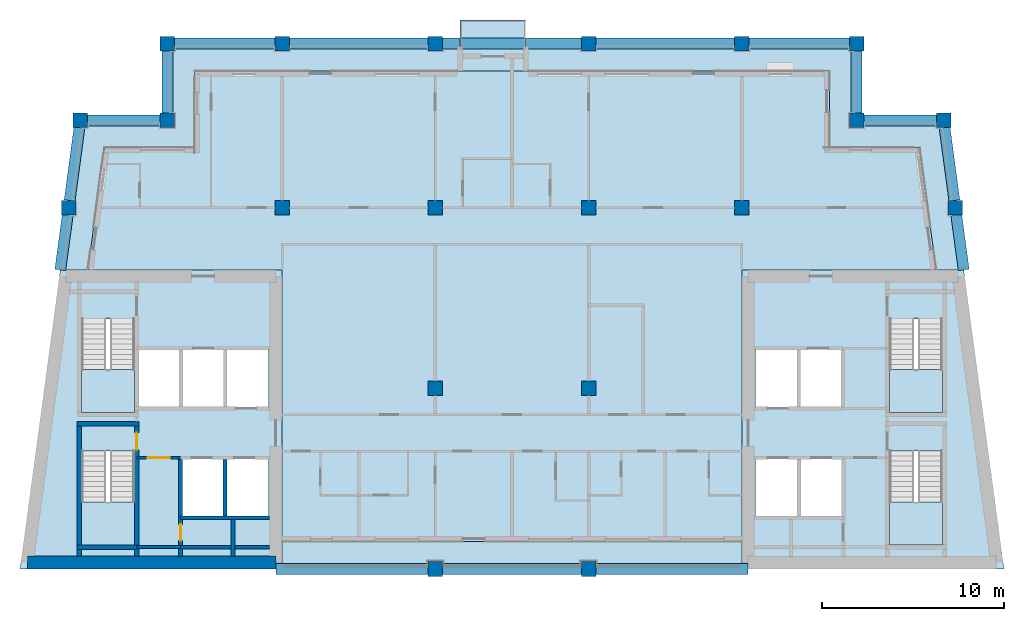
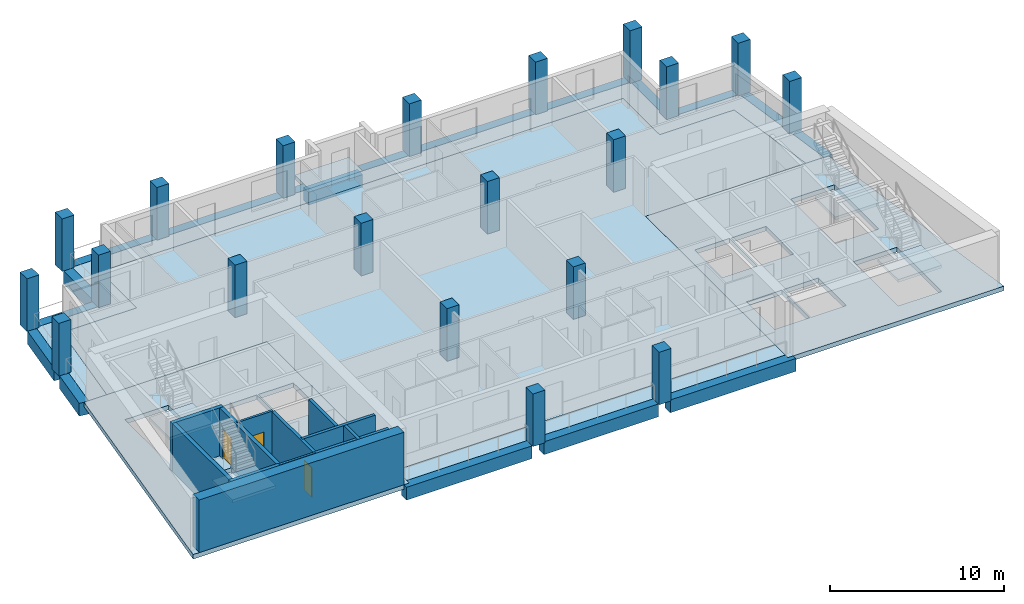
# One storey, part 1 of 10: 20 columns, 18 beams, 12 walls, 10 slabs, 3 doors, 3 openings, 4 elements without a shape of their own.
"""IFC4 building model written with IfcOpenShell, lengths in metres."""

from ifc_helpers import new_model, si_unit, direction, frame, frame_2d, origin, origin_2d, place, context, subcontext, project, spatial, polyline, rectangle, outline, extrude, material, layer, layer_set, material_profile, profile_set, type_object, element, fill, aggregate, save


model = new_model("IFC4")

# Units and contexts
model_context = context("Model", 3, precision=1e-05, world=origin(), true_north=direction((0.0, 1.0)))
body_context = subcontext(model_context, "Body", "Model", "MODEL_VIEW")
ifc_project = project(units=[si_unit("LENGTHUNIT", "METRE"), si_unit("AREAUNIT", "SQUARE_METRE"), si_unit("VOLUMEUNIT", "CUBIC_METRE"), si_unit("PLANEANGLEUNIT", "RADIAN"), si_unit("MASSUNIT", "GRAM", prefix="KILO")], contexts=[model_context])

# Site, building, storey
site_placement = place(None, origin())
site = spatial("IfcSite", under=ifc_project, at=site_placement, CompositionType="ELEMENT")
building_placement = place(site_placement, origin())
building = spatial("IfcBuilding", under=site, at=building_placement, Name="Candeia Pilgrim Tower and Theatre", CompositionType="ELEMENT")
storey_placement = place(building_placement, frame((0.0, 0.0, 288.60009765625)))
storey = spatial("IfcBuildingStorey", under=building, at=storey_placement, Name="L70", CompositionType="ELEMENT", Elevation=288.60009765625)

# Columns
ifc_material_1 = material(Name="Concrete C40/50", Category="concrete")
ifc_material_profile_1 = material_profile(ifc_material_1, rectangle(XDim=0.800048828125, YDim=0.800048828125, at=origin_2d()))
ifc_profile_set_1 = profile_set([ifc_material_profile_1], Name="Concrete C40/50")
column_type = type_object("IfcColumnType", Name="RC 800x800 C40/50", PredefinedType="COLUMN", material=ifc_profile_set_1)
for number, where, z_axis, x_axis, name in (
    (1, (94.5, 140.60009765625, 0.0), (0.0, 0.0, 1.0), (1.0, 0.0, 0.0), "Column NNW"),
    (2, (132.300048828125, 140.60009765625, 0.0), (0.0, 0.0, 1.0), (1.0, 0.0, 0.0), "Column NNE"),
    (3, (89.734619140625, 140.60009765625, 0.0), (0.0, 0.0, 1.0), (1.0, 0.0, 0.0), "Column LNW"),
    (4, (137.0654296875, 140.60009765625, 0.0), (0.0, 0.0, 1.0), (1.0, 0.0, 0.0), "Column LNE"),
    (5, (109.199951171875, 116.0, 0.0), (0.0, 0.0, 1.0), (1.0, 0.0, 0.0), "Column C3"),
    (6, (117.60009765625, 116.0, 0.0), (0.0, 0.0, 1.0), (1.0, 0.0, 0.0), "Column C4"),
    (7, (109.199951171875, 125.89990234375, 0.0), (0.0, 0.0, 1.0), (1.0, 0.0, 0.0), "Column D3"),
    (8, (117.60009765625, 125.89990234375, 0.0), (0.0, 0.0, 1.0), (1.0, 0.0, 0.0), "Column D4"),
    (9, (100.800048828125, 135.800048828125, 0.0), (0.0, 0.0, 1.0), (1.0, 0.0, 0.0), "Column E2"),
    (10, (109.199951171875, 135.800048828125, 0.0), (0.0, 0.0, 1.0), (1.0, 0.0, 0.0), "Column E3"),
    (11, (117.60009765625, 135.800048828125, 0.0), (0.0, 0.0, 1.0), (1.0, 0.0, 0.0), "Column E4"),
    (12, (126.0, 135.800048828125, 0.0), (0.0, 0.0, 1.0), (1.0, 0.0, 0.0), "Column E5"),
    (13, (89.08837890625, 135.800048828125, 0.0), (0.0, 0.0, 1.0), (1.0, 0.0, 0.0), "Column EW"),
    (14, (137.71142578125, 135.800048828125, 0.0), (0.0, 0.0, 1.0), (1.0, 0.0, 0.0), "Column EE"),
    (15, (100.800048828125, 144.800048828125, 0.0), (0.0, 0.0, 1.0), (1.0, 0.0, 0.0), "Column F2"),
    (16, (109.199951171875, 144.800048828125, 0.0), (0.0, 0.0, 1.0), (1.0, 0.0, 0.0), "Column F3"),
    (17, (117.60009765625, 144.800048828125, 0.0), (0.0, 0.0, 1.0), (1.0, 0.0, 0.0), "Column F4"),
    (18, (126.0, 144.800048828125, 0.0), (0.0, 0.0, 1.0), (1.0, 0.0, 0.0), "Column F5"),
    (19, (94.5, 144.800048828125, 0.0), (0.0, 0.0, 1.0), (1.0, 0.0, 0.0), "Column FW"),
    (20, (132.300048828125, 144.800048828125, 0.0), (0.0, 0.0, 1.0), (1.0, 0.0, 0.0), "Column FE"),
):
    element("IfcColumn", number, at=place(storey_placement, frame(where, z_axis=z_axis, x_axis=x_axis)), inside=storey, type_object=column_type, Name=name, PredefinedType="COLUMN", context=body_context, shape_type="SweptSolid", body=[
        extrude(rectangle(XDim=0.800048828125, YDim=0.800048828125, at=origin_2d()), origin(), (0.0, 0.0, 1.0), 3.699951171875),
    ])

# Beams
ifc_material_profile_2 = material_profile(ifc_material_1, rectangle(XDim=0.60009765625, YDim=0.89990234375, at=origin_2d()))
ifc_profile_set_2 = profile_set([ifc_material_profile_2], Name="Concrete C40/50")
beam_type = type_object("IfcBeamType", Name="RC 600x900 C40/50", PredefinedType="BEAM", material=ifc_profile_set_2)
beam_1_placement = place(storey_placement, frame((90.134521484375, 140.60009765625, -0.4501953125), z_axis=(1.0, 0.0, 0.0), x_axis=(0.0, 1.0, 0.0)))
element("IfcBeam", 21, at=beam_1_placement, inside=storey, type_object=beam_type, Name="Spandrel beam L70-01", PredefinedType="BEAM", context=body_context, shape_type="SweptSolid", body=[
    extrude(rectangle(XDim=0.60009765625, YDim=0.89990234375, at=origin_2d()), origin(), (0.0, 0.0, 1.0), 3.965576171875),
])
beam_2_placement = place(storey_placement, frame((94.5, 141.0, -0.4501953125), z_axis=(0.0, 1.0, 0.0), x_axis=(-1.0, 0.0, 0.0)))
element("IfcBeam", 22, at=beam_2_placement, inside=storey, type_object=beam_type, Name="Spandrel beam L70-02", PredefinedType="BEAM", context=body_context, shape_type="SweptSolid", body=[
    extrude(rectangle(XDim=0.60009765625, YDim=0.89990234375, at=origin_2d()), origin(), (0.0, 0.0, 1.0), 3.39990234375),
])
beam_3_placement = place(storey_placement, frame((94.89990234375, 144.800048828125, -0.4501953125), z_axis=(1.0, 0.0, 0.0), x_axis=(0.0, 1.0, 0.0)))
element("IfcBeam", 23, at=beam_3_placement, inside=storey, type_object=beam_type, Name="Spandrel beam L70-03", PredefinedType="BEAM", context=body_context, shape_type="SweptSolid", body=[
    extrude(rectangle(XDim=0.60009765625, YDim=0.89990234375, at=origin_2d()), origin(), (0.0, 0.0, 1.0), 5.5),
])
beam_4_placement = place(storey_placement, frame((101.199951171875, 144.800048828125, -0.4501953125), z_axis=(1.0, 0.0, 0.0), x_axis=(0.0, 1.0, 0.0)))
element("IfcBeam", 24, at=beam_4_placement, inside=storey, type_object=beam_type, Name="Spandrel beam L70-04", PredefinedType="BEAM", context=body_context, shape_type="SweptSolid", body=[
    extrude(rectangle(XDim=0.60009765625, YDim=0.89990234375, at=origin_2d()), origin(), (0.0, 0.0, 1.0), 7.60009765625),
])
beam_5_placement = place(storey_placement, frame((109.60009765625, 144.800048828125, -0.4501953125), z_axis=(1.0, 0.0, 0.0), x_axis=(0.0, 1.0, 0.0)))
element("IfcBeam", 25, at=beam_5_placement, inside=storey, type_object=beam_type, Name="Spandrel beam L70-05", PredefinedType="BEAM", context=body_context, shape_type="SweptSolid", body=[
    extrude(rectangle(XDim=0.60009765625, YDim=0.89990234375, at=origin_2d()), origin(), (0.0, 0.0, 1.0), 0.949951171875),
])
beam_6_placement = place(storey_placement, frame((110.550048828125, 144.800048828125, -0.7001953125), z_axis=(1.0, 0.0, 0.0), x_axis=(0.0, 1.0, 0.0)))
element("IfcBeam", 26, at=beam_6_placement, inside=storey, type_object=beam_type, Name="Spandrel beam L70-06", PredefinedType="BEAM", context=body_context, shape_type="SweptSolid", body=[
    extrude(rectangle(XDim=0.60009765625, YDim=0.89990234375, at=origin_2d()), origin(), (0.0, 0.0, 1.0), 3.599853515625),
])
beam_7_placement = place(storey_placement, frame((114.14990234375, 144.800048828125, -0.4501953125), z_axis=(1.0, 0.0, 0.0), x_axis=(0.0, 1.0, 0.0)))
element("IfcBeam", 27, at=beam_7_placement, inside=storey, type_object=beam_type, Name="Spandrel beam L70-07", PredefinedType="BEAM", context=body_context, shape_type="SweptSolid", body=[
    extrude(rectangle(XDim=0.60009765625, YDim=0.89990234375, at=origin_2d()), origin(), (0.0, 0.0, 1.0), 3.050048828125),
])
beam_8_placement = place(storey_placement, frame((118.0, 144.800048828125, -0.4501953125), z_axis=(1.0, 0.0, 0.0), x_axis=(0.0, 1.0, 0.0)))
element("IfcBeam", 28, at=beam_8_placement, inside=storey, type_object=beam_type, Name="Spandrel beam L70-08", PredefinedType="BEAM", context=body_context, shape_type="SweptSolid", body=[
    extrude(rectangle(XDim=0.60009765625, YDim=0.89990234375, at=origin_2d()), origin(), (0.0, 0.0, 1.0), 7.60009765625),
])
beam_9_placement = place(storey_placement, frame((126.39990234375, 144.800048828125, -0.4501953125), z_axis=(1.0, 0.0, 0.0), x_axis=(0.0, 1.0, 0.0)))
element("IfcBeam", 29, at=beam_9_placement, inside=storey, type_object=beam_type, Name="Spandrel beam L70-09", PredefinedType="BEAM", context=body_context, shape_type="SweptSolid", body=[
    extrude(rectangle(XDim=0.60009765625, YDim=0.89990234375, at=origin_2d()), origin(), (0.0, 0.0, 1.0), 5.5),
])
beam_10_placement = place(storey_placement, frame((132.300048828125, 144.39990234375, -0.4501953125), z_axis=(0.0, -1.0, 0.0), x_axis=(1.0, 0.0, 0.0)))
element("IfcBeam", 30, at=beam_10_placement, inside=storey, type_object=beam_type, Name="Spandrel beam L70-10", PredefinedType="BEAM", context=body_context, shape_type="SweptSolid", body=[
    extrude(rectangle(XDim=0.60009765625, YDim=0.89990234375, at=origin_2d()), origin(), (0.0, 0.0, 1.0), 3.39990234375),
])
beam_11_placement = place(storey_placement, frame((132.699951171875, 140.60009765625, -0.4501953125), z_axis=(1.0, 0.0, 0.0), x_axis=(0.0, 1.0, 0.0)))
element("IfcBeam", 31, at=beam_11_placement, inside=storey, type_object=beam_type, Name="Spandrel beam L70-11", PredefinedType="BEAM", context=body_context, shape_type="SweptSolid", body=[
    extrude(rectangle(XDim=0.60009765625, YDim=0.89990234375, at=origin_2d()), origin(), (0.0, 0.0, 1.0), 3.96533203125),
])
beam_12_placement = place(storey_placement, frame((137.119140625, 140.199951171875, -0.4501953125), z_axis=(0.133439433328, -0.991056969923, 0.0), x_axis=(0.991056969923, 0.133439433328, 0.0)))
element("IfcBeam", 32, at=beam_12_placement, inside=storey, type_object=beam_type, Name="Spandrel beam L70-12", PredefinedType="BEAM", context=body_context, shape_type="SweptSolid", body=[
    extrude(rectangle(XDim=0.60009765625, YDim=0.89990234375, at=origin_2d()), origin(), (0.0, 0.0, 1.0), 4.0361328125),
])
beam_13_placement = place(storey_placement, frame((137.765380859375, 135.39990234375, -0.4501953125), z_axis=(0.133399824849, -0.991062302144, 0.0), x_axis=(0.991062302144, 0.133399824849, 0.0)))
element("IfcBeam", 33, at=beam_13_placement, inside=storey, type_object=beam_type, Name="Spandrel beam L70-13", PredefinedType="BEAM", context=body_context, shape_type="SweptSolid", body=[
    extrude(rectangle(XDim=0.60009765625, YDim=0.89990234375, at=origin_2d()), origin(), (0.0, 0.0, 1.0), 3.027099609375),
])
beam_14_placement = place(storey_placement, frame((126.35009765625, 116.0, -0.4501953125), z_axis=(-1.0, 0.0, 0.0), x_axis=(0.0, -1.0, 0.0)))
element("IfcBeam", 34, at=beam_14_placement, inside=storey, type_object=beam_type, Name="Spandrel beam L70-14", PredefinedType="BEAM", context=body_context, shape_type="SweptSolid", body=[
    extrude(rectangle(XDim=0.60009765625, YDim=0.89990234375, at=origin_2d()), origin(), (0.0, 0.0, 1.0), 8.35009765625),
])
beam_15_placement = place(storey_placement, frame((117.199951171875, 116.0, -0.4501953125), z_axis=(-1.0, 0.0, 0.0), x_axis=(0.0, -1.0, 0.0)))
element("IfcBeam", 35, at=beam_15_placement, inside=storey, type_object=beam_type, Name="Spandrel beam L70-15", PredefinedType="BEAM", context=body_context, shape_type="SweptSolid", body=[
    extrude(rectangle(XDim=0.60009765625, YDim=0.89990234375, at=origin_2d()), origin(), (0.0, 0.0, 1.0), 7.599853515625),
])
beam_16_placement = place(storey_placement, frame((108.800048828125, 116.0, -0.4501953125), z_axis=(-1.0, 0.0, 0.0), x_axis=(0.0, -1.0, 0.0)))
element("IfcBeam", 36, at=beam_16_placement, inside=storey, type_object=beam_type, Name="Spandrel beam L70-16", PredefinedType="BEAM", context=body_context, shape_type="SweptSolid", body=[
    extrude(rectangle(XDim=0.60009765625, YDim=0.89990234375, at=origin_2d()), origin(), (0.0, 0.0, 1.0), 8.35009765625),
])
beam_17_placement = place(storey_placement, frame((88.630859375, 132.39990234375, -0.4501953125), z_axis=(0.133399824849, 0.991062302144, 0.0), x_axis=(-0.991062302144, 0.133399824849, 0.0)))
element("IfcBeam", 37, at=beam_17_placement, inside=storey, type_object=beam_type, Name="Spandrel beam L70-17", PredefinedType="BEAM", context=body_context, shape_type="SweptSolid", body=[
    extrude(rectangle(XDim=0.60009765625, YDim=0.89990234375, at=origin_2d()), origin(), (0.0, 0.0, 1.0), 3.027099609375),
])
beam_18_placement = place(storey_placement, frame((89.142333984375, 136.199951171875, -0.4501953125), z_axis=(0.13338002037, 0.991064967682, 0.0), x_axis=(-0.991064967682, 0.13338002037, 0.0)))
element("IfcBeam", 38, at=beam_18_placement, inside=storey, type_object=beam_type, Name="Spandrel beam L70-18", PredefinedType="BEAM", context=body_context, shape_type="SweptSolid", body=[
    extrude(rectangle(XDim=0.60009765625, YDim=0.89990234375, at=origin_2d()), origin(), (0.0, 0.0, 1.0), 4.0361328125),
])

# Slabs
ifc_layer_1 = layer(ifc_material_1, 0.25)
ifc_layer_set_1 = layer_set([ifc_layer_1], Name="BK1 balcony slab 250")
slab_type_1 = type_object("IfcSlabType", Name="BK1 balcony slab 250", PredefinedType="USERDEFINED", material=ifc_layer_set_1)
slab_1_placement = place(storey_placement, frame((0.0, 0.0, -0.25)))
element("IfcSlab", 39, at=slab_1_placement, inside=storey, type_object=slab_type_1, Name="Balcony L70", ObjectType="BALCONY", PredefinedType="USERDEFINED", context=body_context, shape_type="SweptSolid", body=[
    extrude(outline(polyline([(110.550048828125, 144.5), (114.14990234375, 144.5), (114.14990234375, 146.10009765625), (110.550048828125, 146.10009765625), (110.550048828125, 144.5)])), origin(), (0.0, 0.0, 1.0), 0.25),
])
ifc_material_2 = material(Name="Concrete C60/75", Category="concrete")
ifc_layer_2 = layer(ifc_material_2, 0.320068359375)
ifc_layer_set_2 = layer_set([ifc_layer_2], Name="FS-CORE 320 core floor")
slab_type_2 = type_object("IfcSlabType", Name="FS-CORE 320 core floor", PredefinedType="FLOOR", material=ifc_layer_set_2)
slab_2_placement = place(storey_placement, frame((0.0, 0.0, -0.320068359375)))
element("IfcSlab", 40, at=slab_2_placement, inside=storey, type_object=slab_type_2, Name="Core floor W L70", PredefinedType="FLOOR", context=body_context, shape_type="SweptSolid", body=[
    extrude(outline(polyline([(100.800048828125, 132.39990234375), (100.800048828125, 116.0), (86.423095703125, 116.0), (88.630859375, 132.39990234375), (100.800048828125, 132.39990234375)]), holes=[polyline([(97.71337890625, 122.050048828125), (97.71337890625, 118.85009765625), (100.050048828125, 118.85009765625), (100.050048828125, 122.050048828125), (97.71337890625, 122.050048828125)]), polyline([(97.7255859375, 128.050048828125), (97.7255859375, 124.85009765625), (100.050048828125, 124.85009765625), (100.050048828125, 128.050048828125), (97.7255859375, 128.050048828125)]), polyline([(95.30126953125, 128.050048828125), (95.30126953125, 124.85009765625), (97.625732421875, 124.85009765625), (97.625732421875, 128.050048828125), (95.30126953125, 128.050048828125)]), polyline([(95.277099609375, 122.050048828125), (95.277099609375, 118.85009765625), (97.613525390625, 118.85009765625), (97.613525390625, 122.050048828125), (95.277099609375, 122.050048828125)]), polyline([(92.876953125, 128.050048828125), (92.876953125, 124.85009765625), (95.201416015625, 124.85009765625), (95.201416015625, 128.050048828125), (92.876953125, 128.050048828125)]), polyline([(89.802001953125, 117.324951171875), (92.701904296875, 117.324951171875), (92.701904296875, 122.455078125), (89.802001953125, 122.455078125), (89.802001953125, 117.324951171875)]), polyline([(89.802001953125, 129.705078125), (89.802001953125, 124.574951171875), (92.701904296875, 124.574951171875), (92.701904296875, 129.705078125), (89.802001953125, 129.705078125)])]), origin(), (0.0, 0.0, 1.0), 0.320068359375),
])
slab_3_placement = place(storey_placement, frame((0.0, 0.0, -0.320068359375)))
element("IfcSlab", 41, at=slab_3_placement, inside=storey, type_object=slab_type_2, Name="Core floor E L70", PredefinedType="FLOOR", context=body_context, shape_type="SweptSolid", body=[
    extrude(outline(polyline([(138.169189453125, 132.39990234375), (140.376953125, 116.0), (126.0, 116.0), (126.0, 132.39990234375), (138.169189453125, 132.39990234375)]), holes=[polyline([(134.097900390625, 117.324951171875), (136.998046875, 117.324951171875), (136.998046875, 122.455078125), (134.097900390625, 122.455078125), (134.097900390625, 117.324951171875)]), polyline([(134.097900390625, 129.705078125), (134.097900390625, 124.574951171875), (136.998046875, 124.574951171875), (136.998046875, 129.705078125), (134.097900390625, 129.705078125)]), polyline([(131.52294921875, 122.050048828125), (129.1865234375, 122.050048828125), (129.1865234375, 118.85009765625), (131.52294921875, 118.85009765625), (131.52294921875, 122.050048828125)]), polyline([(131.498779296875, 128.050048828125), (129.17431640625, 128.050048828125), (129.17431640625, 124.85009765625), (131.498779296875, 124.85009765625), (131.498779296875, 128.050048828125)]), polyline([(129.08642578125, 122.050048828125), (126.75, 122.050048828125), (126.75, 118.85009765625), (129.08642578125, 118.85009765625), (129.08642578125, 122.050048828125)]), polyline([(126.75, 128.050048828125), (126.75, 124.85009765625), (129.07421875, 124.85009765625), (129.07421875, 128.050048828125), (126.75, 128.050048828125)])]), origin(), (0.0, 0.0, 1.0), 0.320068359375),
])
ifc_material_3 = material(Name="Concrete C50/60", Category="concrete")
ifc_layer_3 = layer(ifc_material_3, 0.320068359375)
ifc_layer_set_3 = layer_set([ifc_layer_3], Name="Floor slab 320 C50/60")
slab_type_3 = type_object("IfcSlabType", Name="Floor slab 320 C50/60", PredefinedType="FLOOR", material=ifc_layer_set_3)
slab_4_placement = place(storey_placement, frame((0.0, 0.0, -0.320068359375)))
element("IfcSlab", 42, at=slab_4_placement, inside=storey, type_object=slab_type_3, Name="Floor slab L70", PredefinedType="FLOOR", context=body_context, shape_type="SweptSolid", body=[
    extrude(outline(polyline([(96.0, 139.10009765625), (96.0, 143.300048828125), (130.800048828125, 143.300048828125), (130.800048828125, 139.10009765625), (135.753662109375, 139.10009765625), (136.65576171875, 132.39990234375), (126.0, 132.39990234375), (126.0, 117.5), (100.800048828125, 117.5), (100.800048828125, 132.39990234375), (90.144287109375, 132.39990234375), (91.046142578125, 139.10009765625), (96.0, 139.10009765625)])), origin(), (0.0, 0.0, 1.0), 0.320068359375),
])
ifc_layer_4 = layer(ifc_material_1, 0.25)
ifc_layer_set_4 = layer_set([ifc_layer_4], Name="Loggia slab 250 C40/50")
slab_type_4 = type_object("IfcSlabType", Name="Loggia slab 250 C40/50", PredefinedType="FLOOR", material=ifc_layer_set_4)
slab_5_placement = place(storey_placement, frame((0.0, 0.0, -0.25)))
element("IfcSlab", 43, at=slab_5_placement, inside=storey, type_object=slab_type_4, Name="Loggia slab L70 1", PredefinedType="FLOOR", context=body_context, shape_type="SweptSolid", body=[
    extrude(outline(polyline([(100.800048828125, 117.5), (126.0, 117.5), (126.0, 116.300048828125), (100.800048828125, 116.300048828125), (100.800048828125, 117.5)])), origin(), (0.0, 0.0, 1.0), 0.25),
])
slab_6_placement = place(storey_placement, frame((0.0, 0.0, -0.25)))
element("IfcSlab", 44, at=slab_6_placement, inside=storey, type_object=slab_type_4, Name="Loggia slab L70 2", PredefinedType="FLOOR", context=body_context, shape_type="SweptSolid", body=[
    extrude(outline(polyline([(136.65576171875, 132.39990234375), (135.753662109375, 139.10009765625), (130.800048828125, 139.10009765625), (130.800048828125, 143.300048828125), (96.0, 143.300048828125), (96.0, 139.10009765625), (91.046142578125, 139.10009765625), (90.144287109375, 132.39990234375), (88.93359375, 132.39990234375), (89.996826171875, 140.300048828125), (94.800048828125, 140.300048828125), (94.800048828125, 144.5), (132.0, 144.5), (132.0, 140.300048828125), (136.802978515625, 140.300048828125), (137.866455078125, 132.39990234375), (136.65576171875, 132.39990234375)])), origin(), (0.0, 0.0, 1.0), 0.25),
])

# Stair, slab
stair_type = type_object("IfcStairType", Name="ST-TWR dog-leg escape stair", PredefinedType="HALF_TURN_STAIR", material=ifc_material_1)
stair_1_placement = place(storey_placement, origin())
stair_1 = element("IfcStair", 45, at=stair_1_placement, inside=storey, type_object=stair_type, Name="L70 Escape stair ST1", PredefinedType="HALF_TURN_STAIR")
ifc_layer_5 = layer(ifc_material_1, 0.199951171875)
ifc_layer_set_5 = layer_set([ifc_layer_5], Name="SL-LANDING stair landing")
slab_type_5 = type_object("IfcSlabType", Name="SL-LANDING stair landing", PredefinedType="LANDING", material=ifc_layer_set_5)
slab_7_placement = place(storey_placement, frame((0.0, 0.0, 1.64990234375)))
slab_7 = element("IfcSlab", 46, at=slab_7_placement, type_object=slab_type_5, Name="ST1 landing 1", PredefinedType="LANDING", context=body_context, shape_type="SweptSolid", body=[
    extrude(outline(polyline([(89.802001953125, 119.675048828125), (89.802001953125, 117.324951171875), (92.701904296875, 117.324951171875), (92.701904296875, 119.675048828125), (89.802001953125, 119.675048828125)])), origin(), (0.0, 0.0, 1.0), 0.199951171875),
])
aggregate(stair_1, [slab_7])

stair_2_placement = place(storey_placement, origin())
stair_2 = element("IfcStair", 47, at=stair_2_placement, inside=storey, type_object=stair_type, Name="L70 Escape stair ST2", PredefinedType="HALF_TURN_STAIR")
slab_8_placement = place(storey_placement, frame((0.0, 0.0, 1.64990234375)))
slab_8 = element("IfcSlab", 48, at=slab_8_placement, type_object=slab_type_5, Name="ST2 landing 1", PredefinedType="LANDING", context=body_context, shape_type="SweptSolid", body=[
    extrude(outline(polyline([(89.802001953125, 126.925048828125), (89.802001953125, 124.574951171875), (92.701904296875, 124.574951171875), (92.701904296875, 126.925048828125), (89.802001953125, 126.925048828125)])), origin(), (0.0, 0.0, 1.0), 0.199951171875),
])
aggregate(stair_2, [slab_8])

stair_3_placement = place(storey_placement, origin())
stair_3 = element("IfcStair", 49, at=stair_3_placement, inside=storey, type_object=stair_type, Name="L70 Escape stair ST3", PredefinedType="HALF_TURN_STAIR")
slab_9_placement = place(storey_placement, frame((0.0, 0.0, 1.64990234375)))
slab_9 = element("IfcSlab", 50, at=slab_9_placement, type_object=slab_type_5, Name="ST3 landing 1", PredefinedType="LANDING", context=body_context, shape_type="SweptSolid", body=[
    extrude(outline(polyline([(134.097900390625, 119.675048828125), (134.097900390625, 117.324951171875), (136.998046875, 117.324951171875), (136.998046875, 119.675048828125), (134.097900390625, 119.675048828125)])), origin(), (0.0, 0.0, 1.0), 0.199951171875),
])
aggregate(stair_3, [slab_9])

stair_4_placement = place(storey_placement, origin())
stair_4 = element("IfcStair", 51, at=stair_4_placement, inside=storey, type_object=stair_type, Name="L70 Escape stair ST4", PredefinedType="HALF_TURN_STAIR")
slab_10_placement = place(storey_placement, frame((0.0, 0.0, 1.64990234375)))
slab_10 = element("IfcSlab", 52, at=slab_10_placement, type_object=slab_type_5, Name="ST4 landing 1", PredefinedType="LANDING", context=body_context, shape_type="SweptSolid", body=[
    extrude(outline(polyline([(134.097900390625, 126.925048828125), (134.097900390625, 124.574951171875), (136.998046875, 124.574951171875), (136.998046875, 126.925048828125), (134.097900390625, 126.925048828125)])), origin(), (0.0, 0.0, 1.0), 0.199951171875),
])
aggregate(stair_4, [slab_10])

# Walls
ifc_layer_6 = layer(ifc_material_1, 0.699951171875)
ifc_layer_set_6 = layer_set([ifc_layer_6], Name="Core wall 700 C40/50")
wall_type_1 = type_object("IfcWallType", Name="Core wall 700 C40/50", PredefinedType="SHEAR", material=ifc_layer_set_6)
wall_1_placement = place(storey_placement, frame((100.449951171875, 116.35009765625, 0.0), z_axis=(0.0, 0.0, 1.0), x_axis=(-1.0, 0.0, 0.0)))
element("IfcWall", 53, at=wall_1_placement, inside=storey, type_object=wall_type_1, Name="Core wall W3", PredefinedType="SHEAR", context=body_context, shape_type="SweptSolid", body=[
    extrude(rectangle(XDim=13.626708984375, YDim=0.699951171875, at=frame_2d((6.8134765625, 0.0))), origin(), (0.0, 0.0, 1.0), 3.699951171875),
])
ifc_material_4 = material(Name="Gypsum board partition on steel studs", Category="steel")
ifc_layer_7 = layer(ifc_material_4, 0.14990234375)
ifc_layer_set_7 = layer_set([ifc_layer_7], Name="PW-150 lobby wall")
wall_type_2 = type_object("IfcWallType", Name="PW-150 lobby wall", PredefinedType="PARTITIONING", material=ifc_layer_set_7)
wall_2_placement = place(storey_placement, frame((92.826904296875, 117.199951171875, 0.0), z_axis=(0.0, 0.0, 1.0), x_axis=(1.0, 0.0, 0.0)))
element("IfcWall", 54, at=wall_2_placement, inside=storey, type_object=wall_type_2, Name="Lobby wall L70-003", PredefinedType="PARTITIONING", context=body_context, shape_type="SweptSolid", body=[
    extrude(rectangle(XDim=2.400146484375, YDim=0.14990234375, at=frame_2d((1.2001953125, 0.0))), origin(), (0.0, 0.0, 1.0), 3.3798828125),
])

# Wall, opening, door
wall_3_placement = place(storey_placement, frame((92.826904296875, 122.10009765625, 0.0), z_axis=(0.0, 0.0, 1.0), x_axis=(1.0, 0.0, 0.0)))
wall_3 = element("IfcWall", 55, at=wall_3_placement, inside=storey, type_object=wall_type_2, Name="Lobby wall L70-015", PredefinedType="PARTITIONING", context=body_context, shape_type="SweptSolid", body=[
    extrude(rectangle(XDim=2.400146484375, YDim=0.14990234375, at=frame_2d((1.2001953125, 0.0))), origin(), (0.0, 0.0, 1.0), 3.3798828125),
])
opening_1_placement = place(wall_3_placement, frame((0.60009765625, 0.0, 0.0)))
opening_1 = element("IfcOpeningElement", 56, at=opening_1_placement, cuts=wall_3, Name="Opening L70-D001", PredefinedType="OPENING", context=body_context, shape_type="SweptSolid", body=[
    extrude(rectangle(XDim=1.199951171875, YDim=2.10009765625, at=frame_2d((0.60009765625, 1.050048828125))), frame((0.0, 0.0849609375, 0.0), z_axis=(0.0, -1.0, 0.0), x_axis=(1.0, 0.0, 0.0)), (0.0, 0.0, 1.0), 0.169921875),
])
ifc_material_5 = material(Name="Steel fire door set", Category="steel")
door_type_1 = type_object("IfcDoorType", Name="D-1200-FD60", OperationType="NOTDEFINED", PredefinedType="DOOR", material=ifc_material_5)
door_1_placement = place(opening_1_placement, origin())
door_1 = element("IfcDoor", 57, at=door_1_placement, inside=storey, type_object=door_type_1, Name="Door L70-D001", OperationType="SINGLE_SWING_LEFT", OverallHeight=2.10009765625, OverallWidth=1.199951171875, PredefinedType="DOOR", context=body_context, shape_type="SweptSolid", body=[
    extrude(rectangle(XDim=1.199951171875, YDim=2.10009765625, at=frame_2d((0.60009765625, 1.050048828125))), frame((0.0, 0.02490234375, 0.0), z_axis=(0.0, -1.0, 0.0), x_axis=(1.0, 0.0, 0.0)), (0.0, 0.0, 1.0), 0.050048828125),
])
fill(opening_1, door_1)

# Walls
ifc_layer_8 = layer(ifc_material_1, 0.199951171875)
ifc_layer_set_8 = layer_set([ifc_layer_8], Name="SW-200 shaft wall")
wall_type_3 = type_object("IfcWallType", Name="SW-200 shaft wall", PredefinedType="PARTITIONING", material=ifc_layer_set_8)
for number, where, z_axis, x_axis, name in (
    (58, (95.22705078125, 117.199951171875, 0.0), (0.0, 0.0, 1.0), (1.0, 0.0, 0.0), "Shaft wall L70-001"),
    (59, (95.22705078125, 118.800048828125, 0.0), (0.0, 0.0, 1.0), (1.0, 0.0, 0.0), "Shaft wall L70-007"),
):
    element("IfcWall", number, at=place(storey_placement, frame(where, z_axis=z_axis, x_axis=x_axis)), inside=storey, type_object=wall_type_3, Name=name, PredefinedType="PARTITIONING", context=body_context, shape_type="SweptSolid", body=[
        extrude(rectangle(XDim=4.873046875, YDim=0.199951171875, at=frame_2d((2.4365234375, 0.0))), origin(), (0.0, 0.0, 1.0), 3.3798828125),
    ])

# Wall, opening, door
wall_4_placement = place(storey_placement, frame((95.22705078125, 116.669921875, 0.0), z_axis=(0.0, 0.0, 1.0), x_axis=(0.0, 1.0, 0.0)))
wall_4 = element("IfcWall", 60, at=wall_4_placement, inside=storey, type_object=wall_type_3, Name="Shaft wall L70-043", PredefinedType="PARTITIONING", context=body_context, shape_type="SweptSolid", body=[
    extrude(rectangle(XDim=5.330078125, YDim=0.199951171875, at=frame_2d((2.6650390625, 0.0))), origin(), (0.0, 0.0, 1.0), 3.3798828125),
])
opening_2_placement = place(wall_4_placement, frame((0.8798828125, 0.0, 0.0)))
opening_2 = element("IfcOpeningElement", 61, at=opening_2_placement, cuts=wall_4, Name="Opening L70-D004", PredefinedType="OPENING", context=body_context, shape_type="SweptSolid", body=[
    extrude(rectangle(XDim=0.89990234375, YDim=2.10009765625, at=frame_2d((0.449951171875, 1.050048828125))), frame((0.0, 0.10986328125, 0.0), z_axis=(0.0, -1.0, 0.0), x_axis=(1.0, 0.0, 0.0)), (0.0, 0.0, 1.0), 0.219970703125),
])
door_type_2 = type_object("IfcDoorType", Name="D-900-FD60", OperationType="NOTDEFINED", PredefinedType="DOOR", material=ifc_material_5)
door_2_placement = place(opening_2_placement, origin())
door_2 = element("IfcDoor", 62, at=door_2_placement, inside=storey, type_object=door_type_2, Name="Door L70-D004", OperationType="SINGLE_SWING_RIGHT", OverallHeight=2.10009765625, OverallWidth=0.89990234375, PredefinedType="DOOR", context=body_context, shape_type="SweptSolid", body=[
    extrude(rectangle(XDim=0.89990234375, YDim=2.10009765625, at=frame_2d((0.449951171875, 1.050048828125))), frame((0.0, 0.02490234375, 0.0), z_axis=(0.0, -1.0, 0.0), x_axis=(1.0, 0.0, 0.0)), (0.0, 0.0, 1.0), 0.050048828125),
])
fill(opening_2, door_2)

# Walls
wall_5_placement = place(storey_placement, frame((97.66357421875, 118.89990234375, 0.0), z_axis=(0.0, 0.0, 1.0), x_axis=(0.0, 1.0, 0.0)))
element("IfcWall", 63, at=wall_5_placement, inside=storey, type_object=wall_type_3, Name="Shaft wall L70-046", PredefinedType="PARTITIONING", context=body_context, shape_type="SweptSolid", body=[
    extrude(rectangle(XDim=3.10009765625, YDim=0.199951171875, at=frame_2d((1.550048828125, 0.0))), origin(), (0.0, 0.0, 1.0), 3.3798828125),
])
wall_6_placement = place(storey_placement, frame((98.10009765625, 116.669921875, 0.0), z_axis=(0.0, 0.0, 1.0), x_axis=(0.0, 1.0, 0.0)))
element("IfcWall", 64, at=wall_6_placement, inside=storey, type_object=wall_type_3, Name="Shaft wall L70-048", PredefinedType="PARTITIONING", context=body_context, shape_type="SweptSolid", body=[
    extrude(rectangle(XDim=2.030029296875, YDim=0.199951171875, at=frame_2d((1.01513671875, 0.0))), origin(), (0.0, 0.0, 1.0), 3.3798828125),
])
ifc_layer_9 = layer(ifc_material_1, 0.25)
ifc_layer_set_9 = layer_set([ifc_layer_9], Name="SW-250 stair wall")
wall_type_4 = type_object("IfcWallType", Name="SW-250 stair wall", PredefinedType="PARTITIONING", material=ifc_layer_set_9)
wall_7_placement = place(storey_placement, frame((89.552001953125, 117.199951171875, 0.0), z_axis=(0.0, 0.0, 1.0), x_axis=(1.0, 0.0, 0.0)))
element("IfcWall", 65, at=wall_7_placement, inside=storey, type_object=wall_type_4, Name="Stair wall L70-005", PredefinedType="PARTITIONING", context=body_context, shape_type="SweptSolid", body=[
    extrude(rectangle(XDim=3.27490234375, YDim=0.25, at=frame_2d((1.637451171875, 0.0))), origin(), (0.0, 0.0, 1.0), 3.3798828125),
])
wall_8_placement = place(storey_placement, frame((89.552001953125, 123.949951171875, 0.0), z_axis=(0.0, 0.0, 1.0), x_axis=(1.0, 0.0, 0.0)))
element("IfcWall", 66, at=wall_8_placement, inside=storey, type_object=wall_type_4, Name="Stair wall L70-018", PredefinedType="PARTITIONING", context=body_context, shape_type="SweptSolid", body=[
    extrude(rectangle(XDim=3.39990234375, YDim=0.25, at=frame_2d((1.699951171875, 0.0))), origin(), (0.0, 0.0, 1.0), 3.3798828125),
])
wall_9_placement = place(storey_placement, frame((89.677001953125, 116.669921875, 0.0), z_axis=(0.0, 0.0, 1.0), x_axis=(0.0, 1.0, 0.0)))
element("IfcWall", 67, at=wall_9_placement, inside=storey, type_object=wall_type_4, Name="Stair wall L70-037", PredefinedType="PARTITIONING", context=body_context, shape_type="SweptSolid", body=[
    extrude(rectangle(XDim=7.155029296875, YDim=0.25, at=frame_2d((3.57763671875, 0.0))), origin(), (0.0, 0.0, 1.0), 3.3798828125),
])

# Wall, opening, door
wall_10_placement = place(storey_placement, frame((92.826904296875, 116.669921875, 0.0), z_axis=(0.0, 0.0, 1.0), x_axis=(0.0, 1.0, 0.0)))
wall_10 = element("IfcWall", 68, at=wall_10_placement, inside=storey, type_object=wall_type_4, Name="Stair wall L70-040", PredefinedType="PARTITIONING", context=body_context, shape_type="SweptSolid", body=[
    extrude(rectangle(XDim=7.155029296875, YDim=0.25, at=frame_2d((3.57763671875, 0.0))), origin(), (0.0, 0.0, 1.0), 3.3798828125),
])
opening_3_placement = place(wall_10_placement, frame((5.85498046875, 0.0, 0.0)))
opening_3 = element("IfcOpeningElement", 69, at=opening_3_placement, cuts=wall_10, Name="Opening L70-D002", PredefinedType="OPENING", context=body_context, shape_type="SweptSolid", body=[
    extrude(rectangle(XDim=0.949951171875, YDim=2.10009765625, at=frame_2d((0.47509765625, 1.050048828125))), frame((0.0, 0.135009765625, 0.0), z_axis=(0.0, -1.0, 0.0), x_axis=(1.0, 0.0, 0.0)), (0.0, 0.0, 1.0), 0.27001953125),
])
door_type_3 = type_object("IfcDoorType", Name="D-950-FD60", OperationType="NOTDEFINED", PredefinedType="DOOR", material=ifc_material_5)
door_3_placement = place(opening_3_placement, origin())
door_3 = element("IfcDoor", 70, at=door_3_placement, inside=storey, type_object=door_type_3, Name="Door L70-D002", OperationType="SINGLE_SWING_RIGHT", OverallHeight=2.10009765625, OverallWidth=0.949951171875, PredefinedType="DOOR", context=body_context, shape_type="SweptSolid", body=[
    extrude(rectangle(XDim=0.949951171875, YDim=2.10009765625, at=frame_2d((0.47509765625, 1.050048828125))), frame((0.0, 0.02490234375, 0.0), z_axis=(0.0, -1.0, 0.0), x_axis=(1.0, 0.0, 0.0)), (0.0, 0.0, 1.0), 0.050048828125),
])
fill(opening_3, door_3)

save(model, "model.ifc")
